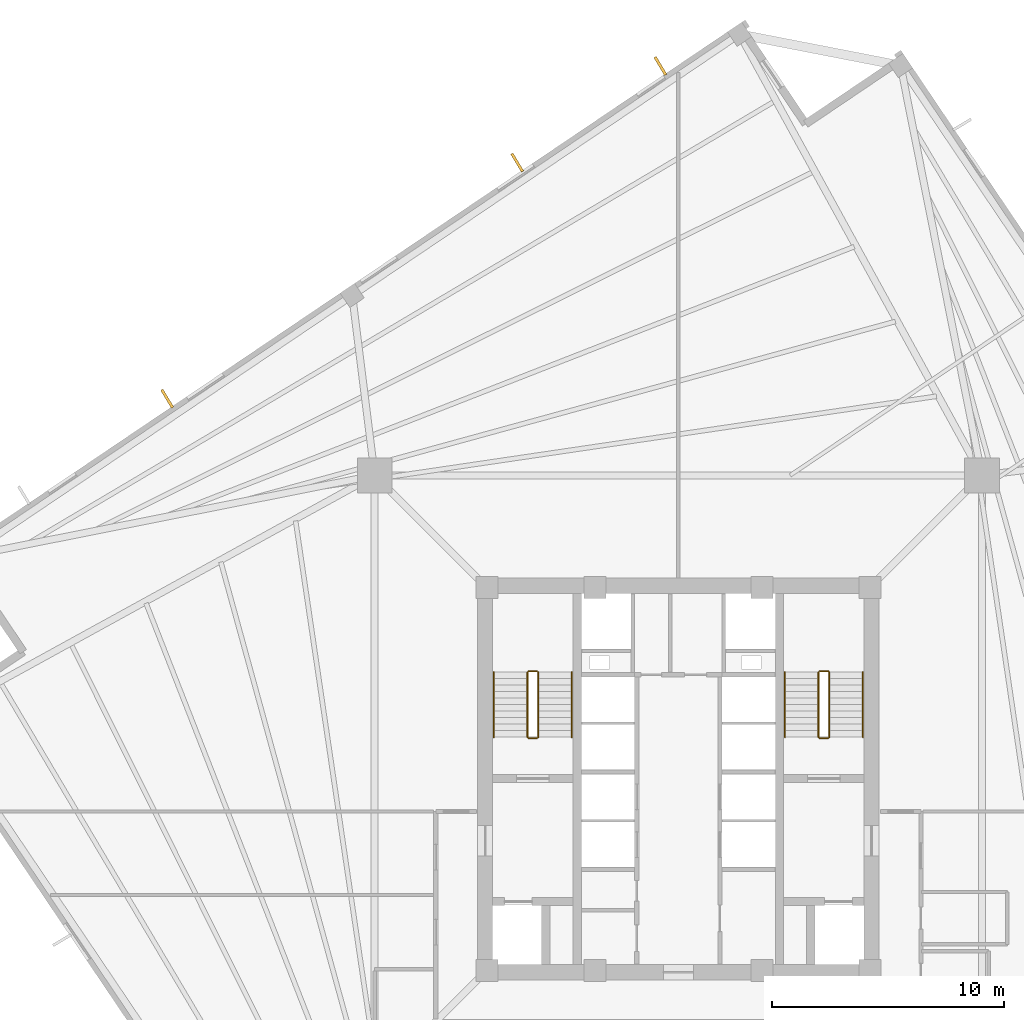
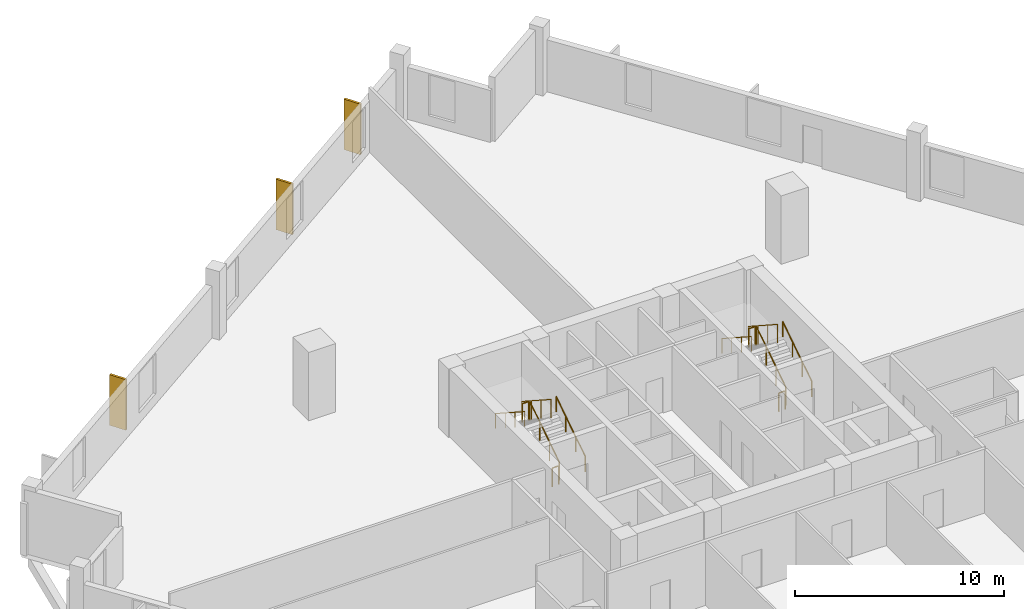
# One storey, part 8 of 9: 12 railings, 3 coverings.
"""IFC4 building model written with IfcOpenShell, lengths in metres."""

from ifc_helpers import new_model, si_unit, direction, frame, origin, origin_2d, place, context, subcontext, project, spatial, rectangle, circle, extrude, source, transform, mapped, material, layer, layer_set, type_object, element, save


model = new_model("IFC4")

# Units and contexts
model_context = context("Model", 3, precision=1e-05, world=origin(), true_north=direction((0.0, 1.0)))
body_context = subcontext(model_context, "Body", "Model", "MODEL_VIEW")
ifc_project = project(units=[si_unit("LENGTHUNIT", "METRE"), si_unit("AREAUNIT", "SQUARE_METRE"), si_unit("VOLUMEUNIT", "CUBIC_METRE"), si_unit("PLANEANGLEUNIT", "RADIAN"), si_unit("MASSUNIT", "GRAM", prefix="KILO"), si_unit("THERMODYNAMICTEMPERATUREUNIT", "KELVIN")], contexts=[model_context])

# Site, building, storey
site_placement = place(None, origin())
site = spatial("IfcSite", under=ifc_project, at=site_placement, CompositionType="ELEMENT")
building_placement = place(site_placement, origin())
building = spatial("IfcBuilding", under=site, at=building_placement, Name="Kosmvard Interchange Tower", CompositionType="ELEMENT")
storey_placement = place(building_placement, frame((0.0, 0.0, 144.39990234375)))
storey = spatial("IfcBuildingStorey", under=building, at=storey_placement, Name="L34", CompositionType="ELEMENT", Elevation=144.39990234375)

# Coverings
ifc_material_1 = material(Name="Architectural anodised aluminium", Category="aluminium")
ifc_layer = layer(ifc_material_1, 0.1201171875, Name="Architectural anodised aluminium")
ifc_layer_set = layer_set([ifc_layer], Name="Architectural anodised aluminium")
covering_type = type_object("IfcCoveringType", Name="Rotating Vertical Sun-Breaker Fin 900x120 Aluminium", PredefinedType="CLADDING", material=ifc_layer_set)
shared_shape_1 = source(origin(), body_context, "Body", "SweptSolid", [
    extrude(rectangle(XDim=0.89990234375, YDim=0.1201171875, at=origin_2d()), origin(), (0.0, 0.0, 1.0), 2.9599609375),
])
for number, where, z_axis, x_axis, name in (
    (1, (-0.774169921875, 30.718994140625, 0.0400390625), (0.0, 0.0, 1.0), (-0.516084917685, 0.856537423431, 0.0), "L34 Rotating Vertical Sun-Breaker Fin 09"),
    (2, (-6.943115234375, 26.557861328125, 0.0400390625), (0.0, 0.0, 1.0), (-0.516084917685, 0.856537423431, 0.0), "L34 Rotating Vertical Sun-Breaker Fin 10"),
    (3, (-22.02294921875, 16.38623046875, 0.0400390625), (0.0, 0.0, 1.0), (-0.516084917685, 0.856537423431, 0.0), "L34 Rotating Vertical Sun-Breaker Fin 11"),
):
    element("IfcCovering", number, at=place(storey_placement, frame(where, z_axis=z_axis, x_axis=x_axis)), inside=storey, type_object=covering_type, Name=name, PredefinedType="CLADDING", context=body_context, shape_type="MappedRepresentation", body=[
        mapped(shared_shape_1, transform((0.0, 0.0, 0.0), scale=1.0)),
    ])

# Railings
ifc_material_2 = material(Name="Steel S355", Category="steel")
railing_type_1 = type_object("IfcRailingType", Name="Stair & Terrace Safety Guardrail 1100 Steel", PredefinedType="GUARDRAIL", material=ifc_material_2)
shared_shape_2 = source(origin(), body_context, "Body", "SweptSolid", [
    extrude(circle(Radius=0.02392578125, at=origin_2d()), frame((0.0, 0.0, 1.076171875), z_axis=(-1.0, 0.0, 0.0), x_axis=(0.0, -1.0, 0.0)), (0.0, 0.0, 1.0), 0.35986328125),
    extrude(circle(Radius=0.02099609375, at=origin_2d()), origin(), (0.0, 0.0, 1.0), 1.052001953125),
    extrude(circle(Radius=0.02099609375, at=origin_2d()), frame((-0.35986328125, 0.0, 0.0)), (0.0, 0.0, 1.0), 1.052001953125),
])
for number, where, name in (
    (4, (-6.090087890625, 4.64990234375, 2.0), "L34 ST-1 stair guard 2"),
    (5, (-6.090087890625, 1.75, 0.0), "L34 ST-1 stair guard 4"),
    (6, (6.449951171875, 4.64990234375, 2.0), "L34 ST-2 stair guard 2"),
    (7, (6.449951171875, 1.75, 0.0), "L34 ST-2 stair guard 4"),
):
    element("IfcRailing", number, at=place(storey_placement, frame(where)), inside=storey, type_object=railing_type_1, Name=name, PredefinedType="GUARDRAIL", context=body_context, shape_type="MappedRepresentation", body=[
        mapped(shared_shape_2, transform((0.0, 0.0, 0.0), scale=1.0)),
    ])
shared_shape_3 = source(origin(), body_context, "Body", "SweptSolid", [
    extrude(circle(Radius=0.02392578125, at=origin_2d()), frame((0.0, 0.0, 1.076171875), z_axis=(0.0, 0.838705829183, 0.544584733623), x_axis=(-1.0, 0.0, 0.0)), (0.0, 0.0, 1.0), 3.338623046875),
    extrude(circle(Radius=0.02099609375, at=origin_2d()), origin(), (0.0, 0.0, 1.0), 1.052001953125),
    extrude(circle(Radius=0.02099609375, at=origin_2d()), frame((0.0, 0.933349609375, 0.60595703125)), (0.0, 0.0, 1.0), 1.052001953125),
    extrude(circle(Radius=0.02099609375, at=origin_2d()), frame((0.0, 1.86669921875, 1.212158203125)), (0.0, 0.0, 1.0), 1.052001953125),
    extrude(circle(Radius=0.02099609375, at=origin_2d()), frame((0.0, 2.800048828125, 1.818115234375)), (0.0, 0.0, 1.0), 1.052001953125),
])
for number, where, name in (
    (8, (-6.0400390625, 1.800048828125, 0.181884765625), "L34 ST-1 stair guard 1"),
    (9, (6.5, 1.800048828125, 0.181884765625), "L34 ST-2 stair guard 1"),
):
    element("IfcRailing", number, at=place(storey_placement, frame(where)), inside=storey, type_object=railing_type_1, Name=name, PredefinedType="GUARDRAIL", context=body_context, shape_type="MappedRepresentation", body=[
        mapped(shared_shape_3, transform((0.0, 0.0, 0.0), scale=1.0)),
    ])
shared_shape_4 = source(origin(), body_context, "Body", "SweptSolid", [
    extrude(circle(Radius=0.02392578125, at=origin_2d()), frame((0.0, 0.0, 1.076171875), z_axis=(0.0, -0.838705829183, 0.544584733623), x_axis=(1.0, 0.0, 0.0)), (0.0, 0.0, 1.0), 3.338623046875),
    extrude(circle(Radius=0.02099609375, at=origin_2d()), origin(), (0.0, 0.0, 1.0), 1.052001953125),
    extrude(circle(Radius=0.02099609375, at=origin_2d()), frame((0.0, -0.933349609375, 0.60595703125)), (0.0, 0.0, 1.0), 1.052001953125),
    extrude(circle(Radius=0.02099609375, at=origin_2d()), frame((0.0, -1.86669921875, 1.212158203125)), (0.0, 0.0, 1.0), 1.052001953125),
    extrude(circle(Radius=0.02099609375, at=origin_2d()), frame((0.0, -2.800048828125, 1.818115234375)), (0.0, 0.0, 1.0), 1.052001953125),
])
for number, where, name in (
    (10, (-6.5, 4.60009765625, 2.181884765625), "L34 ST-1 stair guard 3"),
    (11, (6.0400390625, 4.60009765625, 2.181884765625), "L34 ST-2 stair guard 3"),
):
    element("IfcRailing", number, at=place(storey_placement, frame(where)), inside=storey, type_object=railing_type_1, Name=name, PredefinedType="GUARDRAIL", context=body_context, shape_type="MappedRepresentation", body=[
        mapped(shared_shape_4, transform((0.0, 0.0, 0.0), scale=1.0)),
    ])
railing_type_2 = type_object("IfcRailingType", Name="Wall-Mounted Stair Handrail 900 Steel", PredefinedType="HANDRAIL", material=ifc_material_2)
shared_shape_5 = source(origin(), body_context, "Body", "SweptSolid", [
    extrude(circle(Radius=0.02392578125, at=origin_2d()), frame((0.0, 0.0, 0.8759765625), z_axis=(0.0, 0.838705829183, 0.544584733623), x_axis=(-1.0, 0.0, 0.0)), (0.0, 0.0, 1.0), 3.338623046875),
    extrude(circle(Radius=0.02099609375, at=origin_2d()), origin(), (0.0, 0.0, 1.0), 0.851806640625),
    extrude(circle(Radius=0.02099609375, at=origin_2d()), frame((0.0, 0.933349609375, 0.60595703125)), (0.0, 0.0, 1.0), 0.851806640625),
    extrude(circle(Radius=0.02099609375, at=origin_2d()), frame((0.0, 1.86669921875, 1.212158203125)), (0.0, 0.0, 1.0), 0.851806640625),
    extrude(circle(Radius=0.02099609375, at=origin_2d()), frame((0.0, 2.800048828125, 1.818115234375)), (0.0, 0.0, 1.0), 0.851806640625),
])
for number, where, name in (
    (12, (-4.590087890625, 1.800048828125, 0.181884765625), "L34 ST-1 stair handrail 1"),
    (13, (7.949951171875, 1.800048828125, 0.181884765625), "L34 ST-2 stair handrail 1"),
):
    element("IfcRailing", number, at=place(storey_placement, frame(where)), inside=storey, type_object=railing_type_2, Name=name, PredefinedType="HANDRAIL", context=body_context, shape_type="MappedRepresentation", body=[
        mapped(shared_shape_5, transform((0.0, 0.0, 0.0), scale=1.0)),
    ])
shared_shape_6 = source(origin(), body_context, "Body", "SweptSolid", [
    extrude(circle(Radius=0.02392578125, at=origin_2d()), frame((0.0, 0.0, 0.8759765625), z_axis=(0.0, -0.838705829183, 0.544584733623), x_axis=(1.0, 0.0, 0.0)), (0.0, 0.0, 1.0), 3.338623046875),
    extrude(circle(Radius=0.02099609375, at=origin_2d()), origin(), (0.0, 0.0, 1.0), 0.851806640625),
    extrude(circle(Radius=0.02099609375, at=origin_2d()), frame((0.0, -0.933349609375, 0.60595703125)), (0.0, 0.0, 1.0), 0.851806640625),
    extrude(circle(Radius=0.02099609375, at=origin_2d()), frame((0.0, -1.86669921875, 1.212158203125)), (0.0, 0.0, 1.0), 0.851806640625),
    extrude(circle(Radius=0.02099609375, at=origin_2d()), frame((0.0, -2.800048828125, 1.818115234375)), (0.0, 0.0, 1.0), 0.851806640625),
])
for number, where, name in (
    (14, (-7.949951171875, 4.60009765625, 2.181884765625), "L34 ST-1 stair handrail 2"),
    (15, (4.590087890625, 4.60009765625, 2.181884765625), "L34 ST-2 stair handrail 2"),
):
    element("IfcRailing", number, at=place(storey_placement, frame(where)), inside=storey, type_object=railing_type_2, Name=name, PredefinedType="HANDRAIL", context=body_context, shape_type="MappedRepresentation", body=[
        mapped(shared_shape_6, transform((0.0, 0.0, 0.0), scale=1.0)),
    ])

save(model, "model.ifc")
